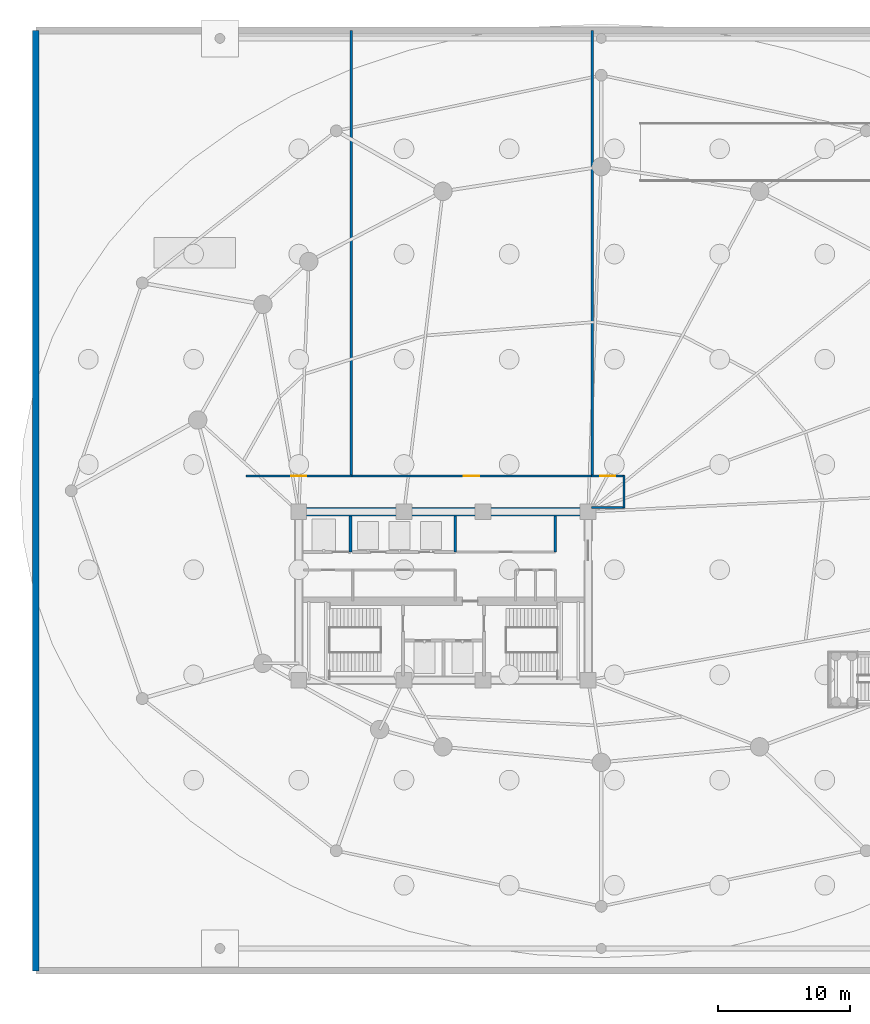
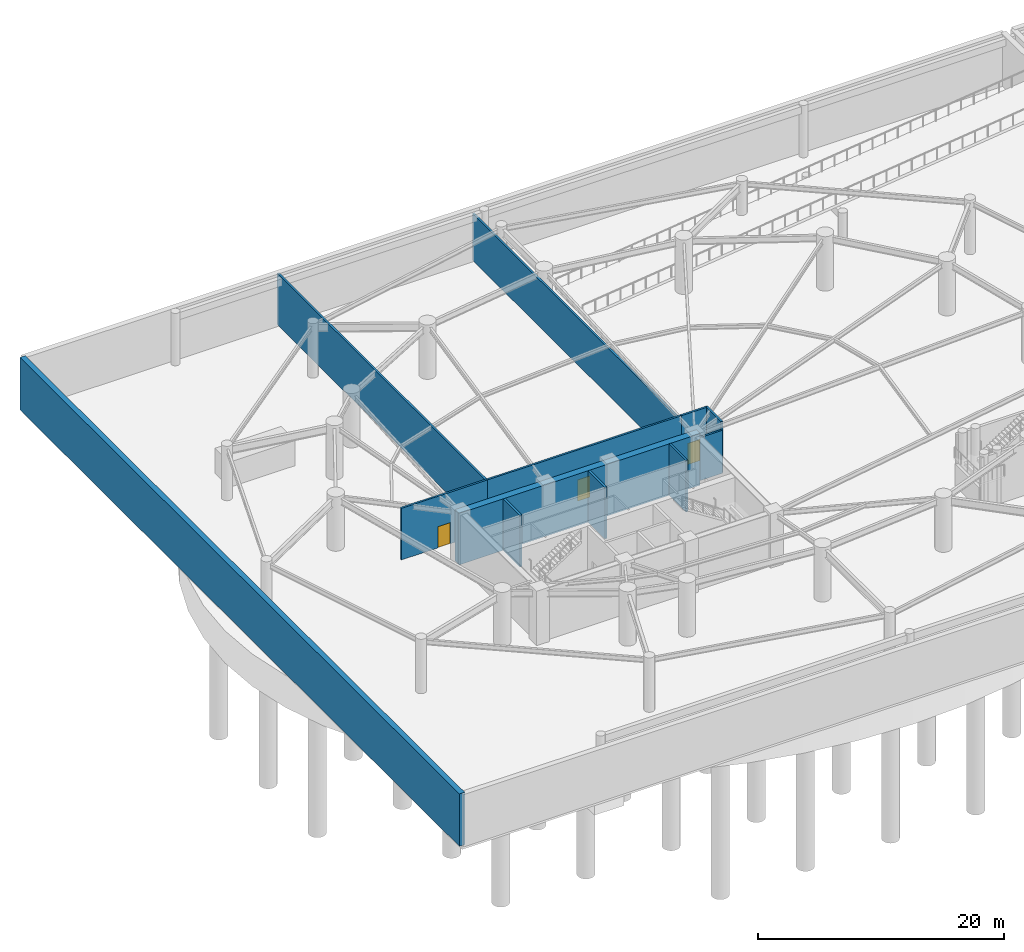
# One storey, part 10 of 22: 12 walls, 3 doors, 3 openings.
"""IFC4 building model written with IfcOpenShell, lengths in metres."""

from ifc_helpers import new_model, si_unit, direction, frame, frame_2d, origin, place, context, subcontext, project, spatial, rectangle, extrude, material, layer, layer_set, type_object, element, fill, save


model = new_model("IFC4")

# Units and contexts
model_context = context("Model", 3, precision=1e-05, world=origin(), true_north=direction((0.0, 1.0)))
body_context = subcontext(model_context, "Body", "Model", "MODEL_VIEW")
ifc_project = project(units=[si_unit("LENGTHUNIT", "METRE"), si_unit("AREAUNIT", "SQUARE_METRE"), si_unit("VOLUMEUNIT", "CUBIC_METRE"), si_unit("PLANEANGLEUNIT", "RADIAN"), si_unit("MASSUNIT", "GRAM", prefix="KILO")], contexts=[model_context])

# Site, building, storey
site_placement = place(None, origin())
site = spatial("IfcSite", under=ifc_project, at=site_placement, CompositionType="ELEMENT")
building_placement = place(site_placement, origin())
building = spatial("IfcBuilding", under=site, at=building_placement, Name="Kazevale Care Tower and Concert Hall", CompositionType="ELEMENT")
storey_placement = place(building_placement, frame((0.0, 0.0, -5.39990234375)))
storey = spatial("IfcBuildingStorey", under=building, at=storey_placement, Name="B1", CompositionType="ELEMENT", Elevation=-5.39990234375)

# Walls
ifc_material_1 = material(Name="Concrete C50", Category="concrete")
ifc_layer_1 = layer(ifc_material_1, 0.5)
ifc_layer_set_1 = layer_set([ifc_layer_1], Name="Concrete C50")
wall_type_1 = type_object("IfcWallType", Name="Basement Perimeter Retaining Wall 500 C50", PredefinedType="SHEAR", material=ifc_layer_set_1)
wall_1_placement = place(storey_placement, frame((2.0, 73.0, 0.0), z_axis=(0.0, 0.0, 1.0), x_axis=(0.0, -1.0, 0.0)))
element("IfcWall", 1, at=wall_1_placement, inside=storey, type_object=wall_type_1, Name="wall:B1:ret:4", PredefinedType="SHEAR", context=body_context, shape_type="SweptSolid", body=[
    extrude(rectangle(XDim=71.5, YDim=0.5, at=frame_2d((35.75, 0.0))), origin(), (0.0, 0.0, 1.0), 5.199951171875),
])
ifc_material_2 = material(Name="Concrete C70", Category="concrete")
ifc_layer_2 = layer(ifc_material_2, 0.64990234375)
ifc_layer_set_2 = layer_set([ifc_layer_2], Name="Concrete C70")
wall_type_2 = type_object("IfcWallType", Name="Core Shear Wall 650 C70", PredefinedType="SHEAR", material=ifc_layer_set_2)
wall_2_placement = place(storey_placement, frame((21.675048828125, 36.39990234375, 0.0), z_axis=(0.0, 0.0, 1.0), x_axis=(1.0, 0.0, 0.0)))
element("IfcWall", 2, at=wall_2_placement, inside=storey, type_object=wall_type_2, Name="wall:B1:core:N", PredefinedType="SHEAR", context=body_context, shape_type="SweptSolid", body=[
    extrude(rectangle(XDim=22.64990234375, YDim=0.64990234375, at=frame_2d((11.324951171875, 0.0))), origin(), (0.0, 0.0, 1.0), 5.119873046875),
])
ifc_material_3 = material(Name="Concrete C40", Category="concrete")
ifc_layer_3 = layer(ifc_material_3, 0.219970703125)
ifc_layer_set_3 = layer_set([ifc_layer_3], Name="Concrete C40")
wall_type_3 = type_object("IfcWallType", Name="Elevator Hoistway Shaft Wall 220", PredefinedType="SOLIDWALL", material=ifc_layer_set_3)
for number, where, z_axis, x_axis, name in (
    (3, (25.919921875, 33.35009765625, 0.0), (0.0, 0.0, 1.0), (0.0, 1.0, 0.0), "wall:B1:c_svl_e"),
    (4, (33.89990234375, 33.35009765625, 0.0), (0.0, 0.0, 1.0), (0.0, 1.0, 0.0), "wall:B1:c_pl_e"),
):
    element("IfcWall", number, at=place(storey_placement, frame(where, z_axis=z_axis, x_axis=x_axis)), inside=storey, type_object=wall_type_3, Name=name, PredefinedType="SOLIDWALL", context=body_context, shape_type="SweptSolid", body=[
        extrude(rectangle(XDim=2.72998046875, YDim=0.219970703125, at=frame_2d((1.364990234375, 0.0))), origin(), (0.0, 0.0, 1.0), 5.119873046875),
    ])
ifc_material_4 = material(Name="Concrete C40 and Acoustic Gypsum", Category="concrete")
ifc_layer_4 = layer(ifc_material_4, 0.179931640625)
ifc_layer_set_4 = layer_set([ifc_layer_4], Name="Concrete C40 and Acoustic Gypsum")
wall_type_4 = type_object("IfcWallType", Name="Fire-Rated Corridor & Party Wall 180", PredefinedType="PARTITIONING", material=ifc_layer_set_4)
wall_3_placement = place(storey_placement, frame((41.5, 33.35009765625, 0.0), z_axis=(0.0, 0.0, 1.0), x_axis=(0.0, 1.0, 0.0)))
element("IfcWall", 5, at=wall_3_placement, inside=storey, type_object=wall_type_4, Name="wall:B1:c_pma_e", PredefinedType="PARTITIONING", context=body_context, shape_type="SweptSolid", body=[
    extrude(rectangle(XDim=2.75, YDim=0.179931640625, at=frame_2d((1.375, 0.0))), origin(), (0.0, 0.0, 1.0), 5.119873046875),
])

# Wall, opening, door
wall_4_placement = place(storey_placement, frame((44.260009765625, 39.125, 0.0), z_axis=(0.0, 0.0, 1.0), x_axis=(1.0, 0.0, 0.0)))
wall_4 = element("IfcWall", 6, at=wall_4_placement, inside=storey, type_object=wall_type_4, Name="wall:B1:auto_001", PredefinedType="PARTITIONING", context=body_context, shape_type="SweptSolid", body=[
    extrude(rectangle(XDim=2.494873046875, YDim=0.179931640625, at=frame_2d((1.24755859375, 0.0))), origin(), (0.0, 0.0, 1.0), 5.119873046875),
])
opening_1_placement = place(wall_4_placement, frame((0.64794921875, 0.0, 0.0)))
opening_1 = element("IfcOpeningElement", 7, at=opening_1_placement, cuts=wall_4, Name="Opening FD-90", PredefinedType="OPENING", context=body_context, shape_type="SweptSolid", body=[
    extrude(rectangle(XDim=1.14990234375, YDim=2.10009765625, at=frame_2d((0.574951171875, 1.050048828125))), frame((0.0, 0.099853515625, 0.0), z_axis=(0.0, -1.0, 0.0), x_axis=(1.0, 0.0, 0.0)), (0.0, 0.0, 1.0), 0.199951171875),
])
ifc_material_5 = material(Name="Steel ASTM A572 Gr 50", Category="steel")
door_type = type_object("IfcDoorType", Name="Pressurized Stair & Lobby Fire Door 1150x2100", OperationType="NOTDEFINED", PredefinedType="DOOR", material=ifc_material_5)
door_1_placement = place(opening_1_placement, origin())
door_1 = element("IfcDoor", 8, at=door_1_placement, inside=storey, type_object=door_type, Name="door:B1:ad_001", OperationType="SINGLE_SWING_LEFT", OverallHeight=2.10009765625, OverallWidth=1.14990234375, PredefinedType="DOOR", context=body_context, shape_type="SweptSolid", body=[
    extrude(rectangle(XDim=1.14990234375, YDim=2.10009765625, at=frame_2d((0.574951171875, 1.050048828125))), frame((0.0, 0.02490234375, 0.0), z_axis=(0.0, -1.0, 0.0), x_axis=(1.0, 0.0, 0.0)), (0.0, 0.0, 1.0), 0.050048828125),
])
fill(opening_1, door_1)

# Walls
wall_5_placement = place(storey_placement, frame((46.7548828125, 36.72509765625, 0.0), z_axis=(0.0, 0.0, 1.0), x_axis=(-1.0, 0.0, 0.0)))
element("IfcWall", 9, at=wall_5_placement, inside=storey, type_object=wall_type_4, Name="wall:B1:auto_002", PredefinedType="PARTITIONING", context=body_context, shape_type="SweptSolid", body=[
    extrude(rectangle(XDim=2.494873046875, YDim=0.179931640625, at=frame_2d((1.24755859375, 0.0))), origin(), (0.0, 0.0, 1.0), 4.260009765625),
])
wall_6_placement = place(storey_placement, frame((46.72509765625, 39.155029296875, 0.0), z_axis=(0.0, 0.0, 1.0), x_axis=(0.0, -1.0, 0.0)))
element("IfcWall", 10, at=wall_6_placement, inside=storey, type_object=wall_type_4, Name="wall:B1:auto_003", PredefinedType="PARTITIONING", context=body_context, shape_type="SweptSolid", body=[
    extrude(rectangle(XDim=2.4599609375, YDim=0.179931640625, at=frame_2d((1.22998046875, 0.0))), origin(), (0.0, 0.0, 1.0), 5.119873046875),
])

# Wall, opening, door
wall_7_placement = place(storey_placement, frame((17.969970703125, 39.125, 0.0), z_axis=(0.0, 0.0, 1.0), x_axis=(1.0, 0.0, 0.0)))
wall_7 = element("IfcWall", 11, at=wall_7_placement, inside=storey, type_object=wall_type_4, Name="wall:B1:auto_004", PredefinedType="PARTITIONING", context=body_context, shape_type="SweptSolid", body=[
    extrude(rectangle(XDim=8.094970703125, YDim=0.179931640625, at=frame_2d((4.04736328125, 0.0))), origin(), (0.0, 0.0, 1.0), 5.119873046875),
])
opening_2_placement = place(wall_7_placement, frame((3.447998046875, 0.0, 0.0)))
opening_2 = element("IfcOpeningElement", 12, at=opening_2_placement, cuts=wall_7, Name="Opening FD-90", PredefinedType="OPENING", context=body_context, shape_type="SweptSolid", body=[
    extrude(rectangle(XDim=1.14990234375, YDim=2.10009765625, at=frame_2d((0.574951171875, 1.050048828125))), frame((0.0, 0.099853515625, 0.0), z_axis=(0.0, -1.0, 0.0), x_axis=(1.0, 0.0, 0.0)), (0.0, 0.0, 1.0), 0.199951171875),
])
door_2_placement = place(opening_2_placement, origin())
door_2 = element("IfcDoor", 13, at=door_2_placement, inside=storey, type_object=door_type, Name="door:B1:ad_004", OperationType="SINGLE_SWING_LEFT", OverallHeight=2.10009765625, OverallWidth=1.14990234375, PredefinedType="DOOR", context=body_context, shape_type="SweptSolid", body=[
    extrude(rectangle(XDim=1.14990234375, YDim=2.10009765625, at=frame_2d((0.574951171875, 1.050048828125))), frame((0.0, 0.02490234375, 0.0), z_axis=(0.0, -1.0, 0.0), x_axis=(1.0, 0.0, 0.0)), (0.0, 0.0, 1.0), 0.050048828125),
])
fill(opening_2, door_2)

wall_8_placement = place(storey_placement, frame((25.93505859375, 39.125, 0.0), z_axis=(0.0, 0.0, 1.0), x_axis=(1.0, 0.0, 0.0)))
wall_8 = element("IfcWall", 14, at=wall_8_placement, inside=storey, type_object=wall_type_4, Name="wall:B1:auto_005", PredefinedType="PARTITIONING", context=body_context, shape_type="SweptSolid", body=[
    extrude(rectangle(XDim=18.454833984375, YDim=0.179931640625, at=frame_2d((9.2275390625, 0.0))), origin(), (0.0, 0.0, 1.0), 5.119873046875),
])
opening_3_placement = place(wall_8_placement, frame((8.626953125, 0.0, 0.0)))
opening_3 = element("IfcOpeningElement", 15, at=opening_3_placement, cuts=wall_8, Name="Opening FD-90", PredefinedType="OPENING", context=body_context, shape_type="SweptSolid", body=[
    extrude(rectangle(XDim=1.14990234375, YDim=2.10009765625, at=frame_2d((0.574951171875, 1.050048828125))), frame((0.0, 0.099853515625, 0.0), z_axis=(0.0, -1.0, 0.0), x_axis=(1.0, 0.0, 0.0)), (0.0, 0.0, 1.0), 0.199951171875),
])
door_3_placement = place(opening_3_placement, origin())
door_3 = element("IfcDoor", 16, at=door_3_placement, inside=storey, type_object=door_type, Name="door:B1:ad_005", OperationType="SINGLE_SWING_LEFT", OverallHeight=2.10009765625, OverallWidth=1.14990234375, PredefinedType="DOOR", context=body_context, shape_type="SweptSolid", body=[
    extrude(rectangle(XDim=1.14990234375, YDim=2.10009765625, at=frame_2d((0.574951171875, 1.050048828125))), frame((0.0, 0.02490234375, 0.0), z_axis=(0.0, -1.0, 0.0), x_axis=(1.0, 0.0, 0.0)), (0.0, 0.0, 1.0), 0.050048828125),
])
fill(opening_3, door_3)

# Walls
wall_9_placement = place(storey_placement, frame((44.324951171875, 39.094970703125, 0.0), z_axis=(0.0, 0.0, 1.0), x_axis=(0.0, 1.0, 0.0)))
element("IfcWall", 17, at=wall_9_placement, inside=storey, type_object=wall_type_4, Name="wall:B1:auto_006", PredefinedType="PARTITIONING", context=body_context, shape_type="SweptSolid", body=[
    extrude(rectangle(XDim=33.89501953125, YDim=0.179931640625, at=frame_2d((16.947509765625, 0.0))), origin(), (0.0, 0.0, 1.0), 4.64990234375),
])
wall_10_placement = place(storey_placement, frame((26.0, 72.989990234375, 0.0), z_axis=(0.0, 0.0, 1.0), x_axis=(0.0, -1.0, 0.0)))
element("IfcWall", 18, at=wall_10_placement, inside=storey, type_object=wall_type_4, Name="wall:B1:auto_007", PredefinedType="PARTITIONING", context=body_context, shape_type="SweptSolid", body=[
    extrude(rectangle(XDim=33.89501953125, YDim=0.179931640625, at=frame_2d((16.947509765625, 0.0))), origin(), (0.0, 0.0, 1.0), 5.119873046875),
])

save(model, "model.ifc")
